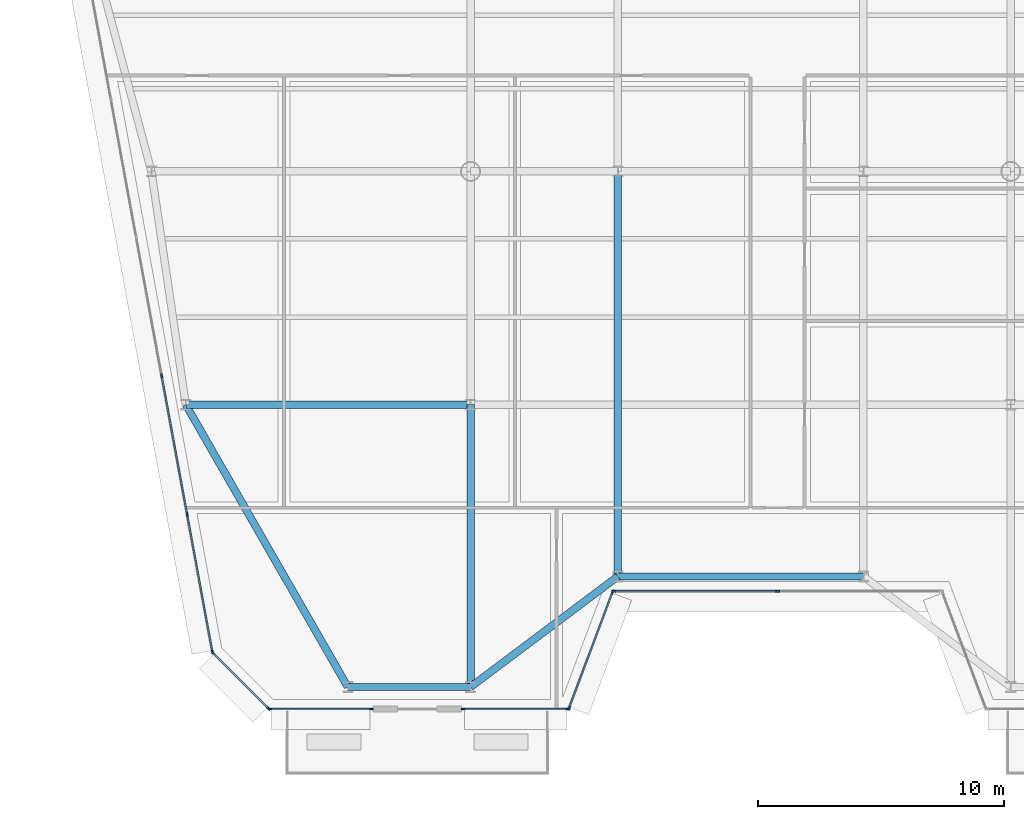
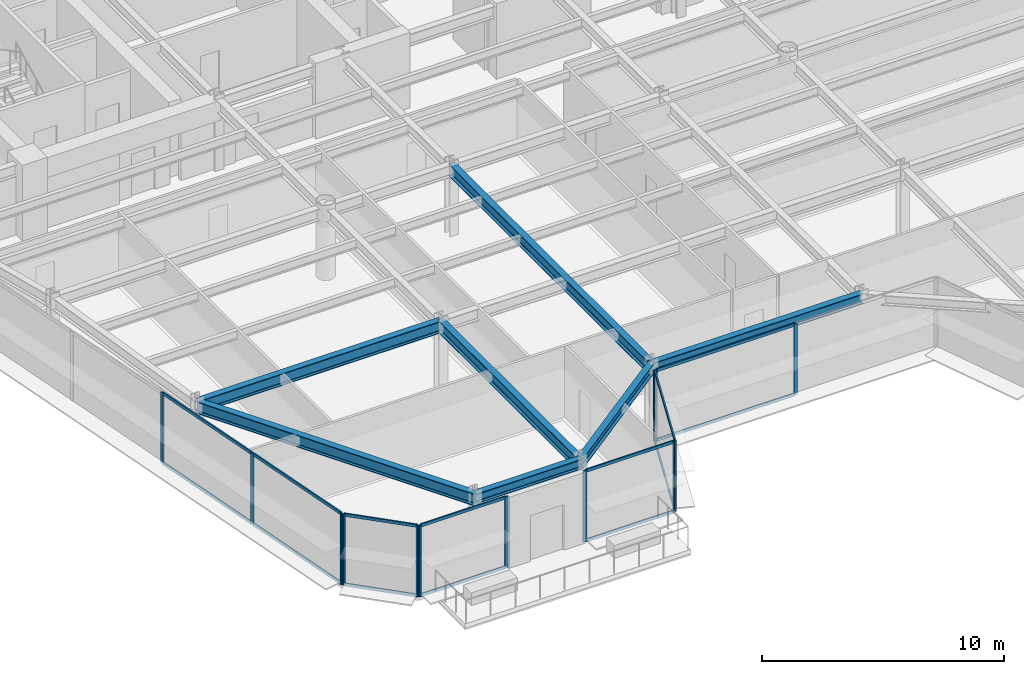
# One storey, part 2 of 17: 27 members, 7 beams, 6 elements without a shape of their own.
"""IFC4 building model written with IfcOpenShell, lengths in metres."""

from ifc_helpers import new_model, si_unit, direction, frame, origin, origin_2d, place, context, subcontext, project, spatial, rectangle, i_section, extrude, source, transform, mapped, material, layer, layer_set, material_profile, profile_set, type_object, element, aggregate, save


model = new_model("IFC4")

# Units and contexts
model_context = context("Model", 3, precision=1e-05, world=origin(), true_north=direction((0.0, 1.0)))
body_context = subcontext(model_context, "Body", "Model", "MODEL_VIEW")
ifc_project = project(units=[si_unit("LENGTHUNIT", "METRE"), si_unit("AREAUNIT", "SQUARE_METRE"), si_unit("VOLUMEUNIT", "CUBIC_METRE"), si_unit("PLANEANGLEUNIT", "RADIAN"), si_unit("MASSUNIT", "GRAM", prefix="KILO")], contexts=[model_context])

# Site, building, storey
site_placement = place(None, origin())
site = spatial("IfcSite", under=ifc_project, at=site_placement, CompositionType="ELEMENT")
building_placement = place(site_placement, origin())
building = spatial("IfcBuilding", under=site, at=building_placement, Name="Vaeldorn Concourse Tower", CompositionType="ELEMENT")
storey_placement = place(building_placement, frame((0.0, 0.0, 180.39990234375)))
storey = spatial("IfcBuildingStorey", under=building, at=storey_placement, Name="L46", CompositionType="ELEMENT", Elevation=180.39990234375)

# Beams
ifc_material_1 = material(Name="Steel S355", Category="steel")
ifc_material_profile_1 = material_profile(ifc_material_1, i_section(OverallWidth=0.300048828125, OverallDepth=0.5, WebThickness=0.014404296875, FlangeThickness=0.028076171875, FilletRadius=0.027099609375, at=origin_2d()), Name="HEB 500")
ifc_profile_set_1 = profile_set([ifc_material_profile_1], Name="Steel S355")
beam_type_1 = type_object("IfcBeamType", Name="BM-SP-HEB500", PredefinedType="SPANDREL", material=ifc_profile_set_1)
shared_shape_1 = source(origin(), body_context, "Body", "SweptSolid", [
    extrude(i_section(OverallWidth=0.300048828125, OverallDepth=0.5, WebThickness=0.014404296875, FlangeThickness=0.028076171875, FilletRadius=0.027099609375, at=origin_2d()), origin(), (0.0, 0.0, 1.0), 5.0),
])
beam_1_placement = place(storey_placement, frame((18.0, 6.5, 3.330078125), z_axis=(1.0, 0.0, 0.0), x_axis=(0.0, 1.0, 0.0)))
element("IfcBeam", 1, at=beam_1_placement, inside=storey, type_object=beam_type_1, Name="Beam BM-L46-C-SF1-C-SF2", PredefinedType="SPANDREL", context=body_context, shape_type="MappedRepresentation", body=[
    mapped(shared_shape_1, transform((0.0, 0.0, 0.0), scale=1.0)),
])
shared_shape_2 = source(origin(), body_context, "Body", "SweptSolid", [
    extrude(i_section(OverallWidth=0.300048828125, OverallDepth=0.5, WebThickness=0.014404296875, FlangeThickness=0.028076171875, FilletRadius=0.027099609375, at=origin_2d()), origin(), (0.0, 0.0, 1.0), 7.5),
])
beam_2_placement = place(storey_placement, frame((23.0, 6.5, 3.330078125), z_axis=(0.8, 0.6, 0.0), x_axis=(-0.6, 0.8, 0.0)))
element("IfcBeam", 2, at=beam_2_placement, inside=storey, type_object=beam_type_1, Name="Beam BM-L46-C-SF2-C-SF3", PredefinedType="SPANDREL", context=body_context, shape_type="MappedRepresentation", body=[
    mapped(shared_shape_2, transform((0.0, 0.0, 0.0), scale=1.0)),
])
shared_shape_3 = source(origin(), body_context, "Body", "SweptSolid", [
    extrude(i_section(OverallWidth=0.300048828125, OverallDepth=0.5, WebThickness=0.014404296875, FlangeThickness=0.028076171875, FilletRadius=0.027099609375, at=origin_2d()), origin(), (0.0, 0.0, 1.0), 10.0),
])
beam_3_placement = place(storey_placement, frame((29.0, 11.0, 3.330078125), z_axis=(1.0, 0.0, 0.0), x_axis=(0.0, 1.0, 0.0)))
element("IfcBeam", 3, at=beam_3_placement, inside=storey, type_object=beam_type_1, Name="Beam BM-L46-C-SF3-C-SF4", PredefinedType="SPANDREL", context=body_context, shape_type="MappedRepresentation", body=[
    mapped(shared_shape_3, transform((0.0, 0.0, 0.0), scale=1.0)),
])
ifc_material_profile_2 = material_profile(ifc_material_1, i_section(OverallWidth=0.300048828125, OverallDepth=0.60009765625, WebThickness=0.015380859375, FlangeThickness=0.030029296875, FilletRadius=0.027099609375, at=origin_2d()), Name="HEB 600")
ifc_profile_set_2 = profile_set([ifc_material_profile_2], Name="Steel S355")
beam_type_2 = type_object("IfcBeamType", Name="BM-PG-HEB600", PredefinedType="BEAM", material=ifc_profile_set_2)
shared_shape_4 = source(origin(), body_context, "Body", "SweptSolid", [
    extrude(i_section(OverallWidth=0.300048828125, OverallDepth=0.60009765625, WebThickness=0.015380859375, FlangeThickness=0.030029296875, FilletRadius=0.027099609375, at=origin_2d()), origin(), (0.0, 0.0, 1.0), 11.60009765625),
])
beam_4_placement = place(storey_placement, frame((11.39990234375, 18.0, 3.280029296875), z_axis=(1.0, 0.0, 0.0), x_axis=(0.0, 1.0, 0.0)))
element("IfcBeam", 4, at=beam_4_placement, inside=storey, type_object=beam_type_2, Name="Beam BM-L46-C-FLW2-C-TW5", PredefinedType="BEAM", context=body_context, shape_type="MappedRepresentation", body=[
    mapped(shared_shape_4, transform((0.0, 0.0, 0.0), scale=1.0)),
])
shared_shape_5 = source(origin(), body_context, "Body", "SweptSolid", [
    extrude(i_section(OverallWidth=0.300048828125, OverallDepth=0.60009765625, WebThickness=0.015380859375, FlangeThickness=0.030029296875, FilletRadius=0.027099609375, at=origin_2d()), origin(), (0.0, 0.0, 1.0), 13.25927734375),
])
beam_5_placement = place(storey_placement, frame((18.0, 6.5, 3.280029296875), z_axis=(-0.497768009943, 0.867310214558, 0.0), x_axis=(-0.867310214558, -0.497768009943, 0.0)))
element("IfcBeam", 5, at=beam_5_placement, inside=storey, type_object=beam_type_2, Name="Beam BM-L46-C-SF1-C-FLW2", PredefinedType="BEAM", context=body_context, shape_type="MappedRepresentation", body=[
    mapped(shared_shape_5, transform((0.0, 0.0, 0.0), scale=1.0)),
])
shared_shape_6 = source(origin(), body_context, "Body", "SweptSolid", [
    extrude(i_section(OverallWidth=0.300048828125, OverallDepth=0.60009765625, WebThickness=0.015380859375, FlangeThickness=0.030029296875, FilletRadius=0.027099609375, at=origin_2d()), origin(), (0.0, 0.0, 1.0), 11.5),
])
beam_6_placement = place(storey_placement, frame((23.0, 6.5, 3.280029296875), z_axis=(0.0, 1.0, 0.0), x_axis=(-1.0, 0.0, 0.0)))
element("IfcBeam", 6, at=beam_6_placement, inside=storey, type_object=beam_type_2, Name="Beam BM-L46-C-SF2-C-TW5", PredefinedType="BEAM", context=body_context, shape_type="MappedRepresentation", body=[
    mapped(shared_shape_6, transform((0.0, 0.0, 0.0), scale=1.0)),
])
shared_shape_7 = source(origin(), body_context, "Body", "SweptSolid", [
    extrude(i_section(OverallWidth=0.300048828125, OverallDepth=0.60009765625, WebThickness=0.015380859375, FlangeThickness=0.030029296875, FilletRadius=0.027099609375, at=origin_2d()), origin(), (0.0, 0.0, 1.0), 16.5),
])
beam_7_placement = place(storey_placement, frame((29.0, 11.0, 3.280029296875), z_axis=(0.0, 1.0, 0.0), x_axis=(-1.0, 0.0, 0.0)))
element("IfcBeam", 7, at=beam_7_placement, inside=storey, type_object=beam_type_2, Name="Beam BM-L46-C-SF3-C-TW2", PredefinedType="BEAM", context=body_context, shape_type="MappedRepresentation", body=[
    mapped(shared_shape_7, transform((0.0, 0.0, 0.0), scale=1.0)),
])

# Curtain wall, members
ifc_material_2 = material(Name="Anodised Bronze Aluminium", Category="aluminium")
ifc_layer = layer(ifc_material_2, 0.2099609375)
ifc_layer_set = layer_set([ifc_layer], Name="Anodised Bronze Aluminium")
curtain_wall_type = type_object("IfcCurtainWallType", Name="CW-SYS-06", PredefinedType="NOTDEFINED", material=ifc_layer_set)
curtain_wall_1_placement = place(storey_placement, origin())
curtain_wall_1 = element("IfcCurtainWall", 8, at=curtain_wall_1_placement, inside=storey, type_object=curtain_wall_type, Name="Unitised Curtain Wall CW-L46-E02-1", PredefinedType="NOTDEFINED")
ifc_material_profile_3 = material_profile(ifc_material_2, rectangle(XDim=0.06494140625, YDim=0.14990234375, at=origin_2d()), Name="CWT 65x150")
ifc_profile_set_3 = profile_set([ifc_material_profile_3], Name="Anodised Bronze Aluminium")
member_type_1 = type_object("IfcMemberType", Name="CWT-BRONZE-150", PredefinedType="USERDEFINED", material=ifc_profile_set_3)
shared_shape_8 = source(origin(), body_context, "Body", "SweptSolid", [
    extrude(rectangle(XDim=0.06494140625, YDim=0.14990234375, at=origin_2d()), origin(), (0.0, 0.0, 1.0), 4.996337890625),
])
member_1_placement = place(storey_placement, frame((27.022705078125, 5.660888671875, 0.03271484375), z_axis=(0.351134151405, 0.936325161318, 0.0), x_axis=(-0.936325161318, 0.351134151405, 0.0)))
member_1 = element("IfcMember", 9, at=member_1_placement, type_object=member_type_1, Name="CW-06 transom 1.1", ObjectType="TRANSOM", PredefinedType="USERDEFINED", context=body_context, shape_type="MappedRepresentation", body=[
    mapped(shared_shape_8, transform((0.0, 0.0, 0.0), scale=1.0)),
])
member_2_placement = place(storey_placement, frame((27.022705078125, 5.660888671875, 3.547607421875), z_axis=(0.351134151405, 0.936325161318, 0.0), x_axis=(-0.936325161318, 0.351134151405, 0.0)))
member_2 = element("IfcMember", 10, at=member_2_placement, type_object=member_type_1, Name="CW-06 transom 1.2", ObjectType="TRANSOM", PredefinedType="USERDEFINED", context=body_context, shape_type="MappedRepresentation", body=[
    mapped(shared_shape_8, transform((0.0, 0.0, 0.0), scale=1.0)),
])

curtain_wall_2_placement = place(storey_placement, origin())
curtain_wall_2 = element("IfcCurtainWall", 11, at=curtain_wall_2_placement, inside=storey, type_object=curtain_wall_type, Name="Unitised Curtain Wall CW-L46-E03-1", PredefinedType="NOTDEFINED")
shared_shape_9 = source(origin(), body_context, "Body", "SweptSolid", [
    extrude(rectangle(XDim=0.06494140625, YDim=0.14990234375, at=origin_2d()), origin(), (0.0, 0.0, 1.0), 6.6025390625),
])
member_3_placement = place(storey_placement, frame((28.864990234375, 10.39990234375, 0.03271484375), z_axis=(1.0, 0.0, 0.0), x_axis=(0.0, 1.0, 0.0)))
member_3 = element("IfcMember", 12, at=member_3_placement, type_object=member_type_1, Name="CW-06 transom 1.1", ObjectType="TRANSOM", PredefinedType="USERDEFINED", context=body_context, shape_type="MappedRepresentation", body=[
    mapped(shared_shape_9, transform((0.0, 0.0, 0.0), scale=1.0)),
])
member_4_placement = place(storey_placement, frame((28.864990234375, 10.39990234375, 3.547607421875), z_axis=(1.0, 0.0, 0.0), x_axis=(0.0, 1.0, 0.0)))
member_4 = element("IfcMember", 13, at=member_4_placement, type_object=member_type_1, Name="CW-06 transom 1.2", ObjectType="TRANSOM", PredefinedType="USERDEFINED", context=body_context, shape_type="MappedRepresentation", body=[
    mapped(shared_shape_9, transform((0.0, 0.0, 0.0), scale=1.0)),
])

curtain_wall_3_placement = place(storey_placement, origin())
curtain_wall_3 = element("IfcCurtainWall", 14, at=curtain_wall_3_placement, inside=storey, type_object=curtain_wall_type, Name="Unitised Curtain Wall CW-L46-E01-1", PredefinedType="NOTDEFINED")
ifc_material_profile_4 = material_profile(ifc_material_2, rectangle(XDim=0.06494140625, YDim=0.169921875, at=origin_2d()), Name="CWM 65x170")
ifc_profile_set_4 = profile_set([ifc_material_profile_4], Name="Anodised Bronze Aluminium")
member_type_2 = type_object("IfcMemberType", Name="CWM-BRONZE-170", PredefinedType="MULLION", material=ifc_profile_set_4)
shared_shape_10 = source(origin(), body_context, "Body", "SweptSolid", [
    extrude(rectangle(XDim=0.06494140625, YDim=0.169921875, at=origin_2d()), origin(), (0.0, 0.0, 1.0), 3.580078125),
])
member_5_placement = place(storey_placement, frame((14.823486328125, 5.60009765625, 0.0), z_axis=(0.0, 0.0, 1.0), x_axis=(0.0, 1.0, 0.0)))
member_5 = element("IfcMember", 15, at=member_5_placement, type_object=member_type_2, Name="CW-06 mullion 1", PredefinedType="MULLION", context=body_context, shape_type="MappedRepresentation", body=[
    mapped(shared_shape_10, transform((0.0, 0.0, 0.0), scale=1.0)),
])
member_6_placement = place(storey_placement, frame((18.95751953125, 5.60009765625, 0.0), z_axis=(0.0, 0.0, 1.0), x_axis=(0.0, 1.0, 0.0)))
member_6 = element("IfcMember", 16, at=member_6_placement, type_object=member_type_2, Name="CW-06 mullion 2", PredefinedType="MULLION", context=body_context, shape_type="MappedRepresentation", body=[
    mapped(shared_shape_10, transform((0.0, 0.0, 0.0), scale=1.0)),
])

curtain_wall_4_placement = place(storey_placement, origin())
curtain_wall_4 = element("IfcCurtainWall", 17, at=curtain_wall_4_placement, inside=storey, type_object=curtain_wall_type, Name="Unitised Curtain Wall CW-L46-E01-2", PredefinedType="NOTDEFINED")
member_7_placement = place(storey_placement, frame((22.702392578125, 5.60009765625, 0.0), z_axis=(0.0, 0.0, 1.0), x_axis=(0.0, 1.0, 0.0)))
member_7 = element("IfcMember", 18, at=member_7_placement, type_object=member_type_2, Name="CW-06 mullion 1", PredefinedType="MULLION", context=body_context, shape_type="MappedRepresentation", body=[
    mapped(shared_shape_10, transform((0.0, 0.0, 0.0), scale=1.0)),
])
member_8_placement = place(storey_placement, frame((26.967529296875, 5.60009765625, 0.0), z_axis=(0.0, 0.0, 1.0), x_axis=(0.0, 1.0, 0.0)))
member_8 = element("IfcMember", 19, at=member_8_placement, type_object=member_type_2, Name="CW-06 mullion 2", PredefinedType="MULLION", context=body_context, shape_type="MappedRepresentation", body=[
    mapped(shared_shape_10, transform((0.0, 0.0, 0.0), scale=1.0)),
])

# Member
member_9_placement = place(storey_placement, frame((27.011474609375, 5.63037109375, 0.0), z_axis=(0.0, 0.0, 1.0), x_axis=(-0.936329177566, 0.351123441595, 0.0)))
member_9 = element("IfcMember", 20, at=member_9_placement, type_object=member_type_2, Name="CW-06 mullion 1", PredefinedType="MULLION", context=body_context, shape_type="MappedRepresentation", body=[
    mapped(shared_shape_10, transform((0.0, 0.0, 0.0), scale=1.0)),
])

member_10_placement = place(storey_placement, frame((28.78857421875, 10.36962890625, 0.0), z_axis=(0.0, 0.0, 1.0), x_axis=(-0.936329177566, 0.351123441595, 0.0)))
member_10 = element("IfcMember", 21, at=member_10_placement, type_object=member_type_2, Name="CW-06 mullion 2", PredefinedType="MULLION", context=body_context, shape_type="MappedRepresentation", body=[
    mapped(shared_shape_10, transform((0.0, 0.0, 0.0), scale=1.0)),
])

aggregate(curtain_wall_1, [member_9, member_10, member_1, member_2])

member_11_placement = place(storey_placement, frame((28.83251953125, 10.39990234375, 0.0), z_axis=(0.0, 0.0, 1.0), x_axis=(0.0, 1.0, 0.0)))
member_11 = element("IfcMember", 22, at=member_11_placement, type_object=member_type_2, Name="CW-06 mullion 1", PredefinedType="MULLION", context=body_context, shape_type="MappedRepresentation", body=[
    mapped(shared_shape_10, transform((0.0, 0.0, 0.0), scale=1.0)),
])

member_12_placement = place(storey_placement, frame((35.5, 10.39990234375, 0.0), z_axis=(0.0, 0.0, 1.0), x_axis=(0.0, 1.0, 0.0)))
member_12 = element("IfcMember", 23, at=member_12_placement, type_object=member_type_2, Name="CW-06 mullion 2", PredefinedType="MULLION", context=body_context, shape_type="MappedRepresentation", body=[
    mapped(shared_shape_10, transform((0.0, 0.0, 0.0), scale=1.0)),
])

aggregate(curtain_wall_2, [member_11, member_12, member_3, member_4])

# Curtain wall, members
curtain_wall_5_placement = place(storey_placement, origin())
curtain_wall_5 = element("IfcCurtainWall", 24, at=curtain_wall_5_placement, inside=storey, type_object=curtain_wall_type, Name="Unitised Curtain Wall CW-L46-E11-2", PredefinedType="NOTDEFINED")
member_13_placement = place(storey_placement, frame((10.421142578125, 19.17333984375, 0.0), z_axis=(0.0, 0.0, 1.0), x_axis=(0.983559325018, 0.180585309951, 0.0)))
member_13 = element("IfcMember", 25, at=member_13_placement, type_object=member_type_2, Name="CW-06 mullion 4", PredefinedType="MULLION", context=body_context, shape_type="MappedRepresentation", body=[
    mapped(shared_shape_10, transform((0.0, 0.0, 0.0), scale=1.0)),
])
member_14_placement = place(storey_placement, frame((11.4560546875, 13.53662109375, 0.0), z_axis=(0.0, 0.0, 1.0), x_axis=(0.983559325018, 0.180585309951, 0.0)))
member_14 = element("IfcMember", 26, at=member_14_placement, type_object=member_type_2, Name="CW-06 mullion 5", PredefinedType="MULLION", context=body_context, shape_type="MappedRepresentation", body=[
    mapped(shared_shape_10, transform((0.0, 0.0, 0.0), scale=1.0)),
])
member_15_placement = place(storey_placement, frame((12.485107421875, 7.931884765625, 0.0), z_axis=(0.0, 0.0, 1.0), x_axis=(0.983559325018, 0.180585309951, 0.0)))
member_15 = element("IfcMember", 27, at=member_15_placement, type_object=member_type_2, Name="CW-06 mullion 6", PredefinedType="MULLION", context=body_context, shape_type="MappedRepresentation", body=[
    mapped(shared_shape_10, transform((0.0, 0.0, 0.0), scale=1.0)),
])

curtain_wall_6_placement = place(storey_placement, origin())
curtain_wall_6 = element("IfcCurtainWall", 28, at=curtain_wall_6_placement, inside=storey, type_object=curtain_wall_type, Name="Unitised Curtain Wall CW-L46-E12-1", PredefinedType="NOTDEFINED")
member_16_placement = place(storey_placement, frame((12.513916015625, 7.876953125, 0.0), z_axis=(0.0, 0.0, 1.0), x_axis=(0.707106781187, 0.707106781187, 0.0)))
member_16 = element("IfcMember", 29, at=member_16_placement, type_object=member_type_2, Name="CW-06 mullion 1", PredefinedType="MULLION", context=body_context, shape_type="MappedRepresentation", body=[
    mapped(shared_shape_10, transform((0.0, 0.0, 0.0), scale=1.0)),
])
member_17_placement = place(storey_placement, frame((14.76806640625, 5.623046875, 0.0), z_axis=(0.0, 0.0, 1.0), x_axis=(0.707106781187, 0.707106781187, 0.0)))
member_17 = element("IfcMember", 30, at=member_17_placement, type_object=member_type_2, Name="CW-06 mullion 2", PredefinedType="MULLION", context=body_context, shape_type="MappedRepresentation", body=[
    mapped(shared_shape_10, transform((0.0, 0.0, 0.0), scale=1.0)),
])

# Member
shared_shape_11 = source(origin(), body_context, "Body", "SweptSolid", [
    extrude(rectangle(XDim=0.06494140625, YDim=0.14990234375, at=origin_2d()), origin(), (0.0, 0.0, 1.0), 4.069091796875),
])
member_18_placement = place(storey_placement, frame((14.85595703125, 5.60009765625, 0.03271484375), z_axis=(1.0, 0.0, 0.0), x_axis=(0.0, 1.0, 0.0)))
member_18 = element("IfcMember", 31, at=member_18_placement, type_object=member_type_1, Name="CW-06 transom 1.1", ObjectType="TRANSOM", PredefinedType="USERDEFINED", context=body_context, shape_type="MappedRepresentation", body=[
    mapped(shared_shape_11, transform((0.0, 0.0, 0.0), scale=1.0)),
])

member_19_placement = place(storey_placement, frame((14.85595703125, 5.60009765625, 3.547607421875), z_axis=(1.0, 0.0, 0.0), x_axis=(0.0, 1.0, 0.0)))
member_19 = element("IfcMember", 32, at=member_19_placement, type_object=member_type_1, Name="CW-06 transom 1.2", ObjectType="TRANSOM", PredefinedType="USERDEFINED", context=body_context, shape_type="MappedRepresentation", body=[
    mapped(shared_shape_11, transform((0.0, 0.0, 0.0), scale=1.0)),
])

aggregate(curtain_wall_3, [member_5, member_6, member_18, member_19])

shared_shape_12 = source(origin(), body_context, "Body", "SweptSolid", [
    extrude(rectangle(XDim=0.06494140625, YDim=0.14990234375, at=origin_2d()), origin(), (0.0, 0.0, 1.0), 4.199951171875),
])
member_20_placement = place(storey_placement, frame((22.735107421875, 5.60009765625, 0.03271484375), z_axis=(1.0, 0.0, 0.0), x_axis=(0.0, 1.0, 0.0)))
member_20 = element("IfcMember", 33, at=member_20_placement, type_object=member_type_1, Name="CW-06 transom 1.1", ObjectType="TRANSOM", PredefinedType="USERDEFINED", context=body_context, shape_type="MappedRepresentation", body=[
    mapped(shared_shape_12, transform((0.0, 0.0, 0.0), scale=1.0)),
])

member_21_placement = place(storey_placement, frame((22.735107421875, 5.60009765625, 3.547607421875), z_axis=(1.0, 0.0, 0.0), x_axis=(0.0, 1.0, 0.0)))
member_21 = element("IfcMember", 34, at=member_21_placement, type_object=member_type_1, Name="CW-06 transom 1.2", ObjectType="TRANSOM", PredefinedType="USERDEFINED", context=body_context, shape_type="MappedRepresentation", body=[
    mapped(shared_shape_12, transform((0.0, 0.0, 0.0), scale=1.0)),
])

aggregate(curtain_wall_4, [member_7, member_8, member_20, member_21])

shared_shape_13 = source(origin(), body_context, "Body", "SweptSolid", [
    extrude(rectangle(XDim=0.06494140625, YDim=0.14990234375, at=origin_2d()), origin(), (0.0, 0.0, 1.0), 3.122802734375),
])
member_22_placement = place(storey_placement, frame((12.536865234375, 7.85400390625, 0.03271484375), z_axis=(0.707145870536, -0.707067689676, 0.0), x_axis=(0.707067689676, 0.707145870536, 0.0)))
member_22 = element("IfcMember", 35, at=member_22_placement, type_object=member_type_1, Name="CW-06 transom 1.1", ObjectType="TRANSOM", PredefinedType="USERDEFINED", context=body_context, shape_type="MappedRepresentation", body=[
    mapped(shared_shape_13, transform((0.0, 0.0, 0.0), scale=1.0)),
])

member_23_placement = place(storey_placement, frame((12.536865234375, 7.85400390625, 3.547607421875), z_axis=(0.707145870536, -0.707067689676, 0.0), x_axis=(0.707067689676, 0.707145870536, 0.0)))
member_23 = element("IfcMember", 36, at=member_23_placement, type_object=member_type_1, Name="CW-06 transom 1.2", ObjectType="TRANSOM", PredefinedType="USERDEFINED", context=body_context, shape_type="MappedRepresentation", body=[
    mapped(shared_shape_13, transform((0.0, 0.0, 0.0), scale=1.0)),
])

aggregate(curtain_wall_6, [member_16, member_17, member_22, member_23])

shared_shape_14 = source(origin(), body_context, "Body", "SweptSolid", [
    extrude(rectangle(XDim=0.06494140625, YDim=0.14990234375, at=origin_2d()), origin(), (0.0, 0.0, 1.0), 5.63330078125),
])
member_24_placement = place(storey_placement, frame((11.4619140625, 13.504638671875, 0.03271484375), z_axis=(0.180589917692, -0.983558479008, 0.0), x_axis=(0.983558479008, 0.180589917692, 0.0)))
member_24 = element("IfcMember", 37, at=member_24_placement, type_object=member_type_1, Name="CW-06 transom 5.1", ObjectType="TRANSOM", PredefinedType="USERDEFINED", context=body_context, shape_type="MappedRepresentation", body=[
    mapped(shared_shape_14, transform((0.0, 0.0, 0.0), scale=1.0)),
])

member_25_placement = place(storey_placement, frame((11.4619140625, 13.504638671875, 3.547607421875), z_axis=(0.180589917692, -0.983558479008, 0.0), x_axis=(0.983558479008, 0.180589917692, 0.0)))
member_25 = element("IfcMember", 38, at=member_25_placement, type_object=member_type_1, Name="CW-06 transom 5.2", ObjectType="TRANSOM", PredefinedType="USERDEFINED", context=body_context, shape_type="MappedRepresentation", body=[
    mapped(shared_shape_14, transform((0.0, 0.0, 0.0), scale=1.0)),
])

shared_shape_15 = source(origin(), body_context, "Body", "SweptSolid", [
    extrude(rectangle(XDim=0.06494140625, YDim=0.14990234375, at=origin_2d()), origin(), (0.0, 0.0, 1.0), 5.666015625),
])
member_26_placement = place(storey_placement, frame((10.427001953125, 19.141357421875, 0.03271484375), z_axis=(0.180587719149, -0.983558882677, 0.0), x_axis=(0.983558882677, 0.180587719149, 0.0)))
member_26 = element("IfcMember", 39, at=member_26_placement, type_object=member_type_1, Name="CW-06 transom 4.1", ObjectType="TRANSOM", PredefinedType="USERDEFINED", context=body_context, shape_type="MappedRepresentation", body=[
    mapped(shared_shape_15, transform((0.0, 0.0, 0.0), scale=1.0)),
])

member_27_placement = place(storey_placement, frame((10.427001953125, 19.141357421875, 3.547607421875), z_axis=(0.180587719149, -0.983558882677, 0.0), x_axis=(0.983558882677, 0.180587719149, 0.0)))
member_27 = element("IfcMember", 40, at=member_27_placement, type_object=member_type_1, Name="CW-06 transom 4.2", ObjectType="TRANSOM", PredefinedType="USERDEFINED", context=body_context, shape_type="MappedRepresentation", body=[
    mapped(shared_shape_15, transform((0.0, 0.0, 0.0), scale=1.0)),
])

aggregate(curtain_wall_5, [member_13, member_14, member_15, member_26, member_27, member_24, member_25])

save(model, "model.ifc")
